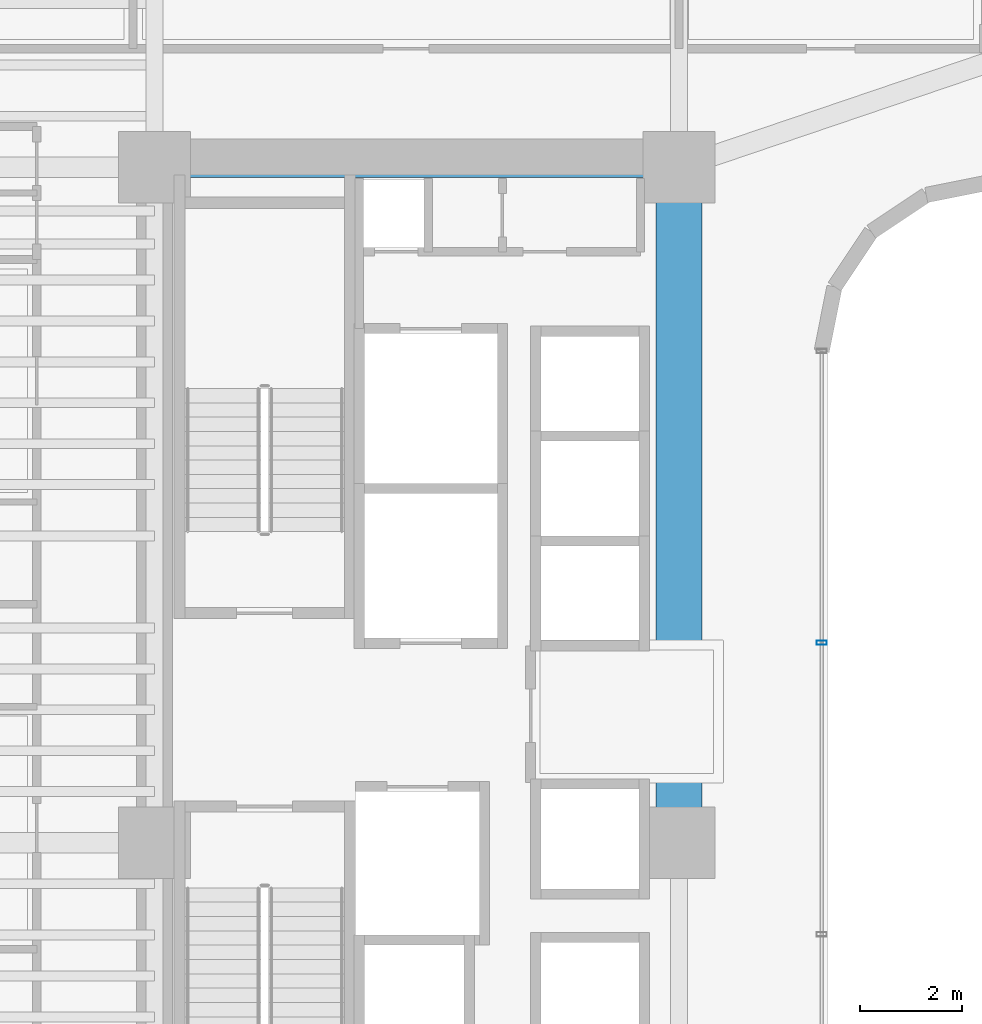
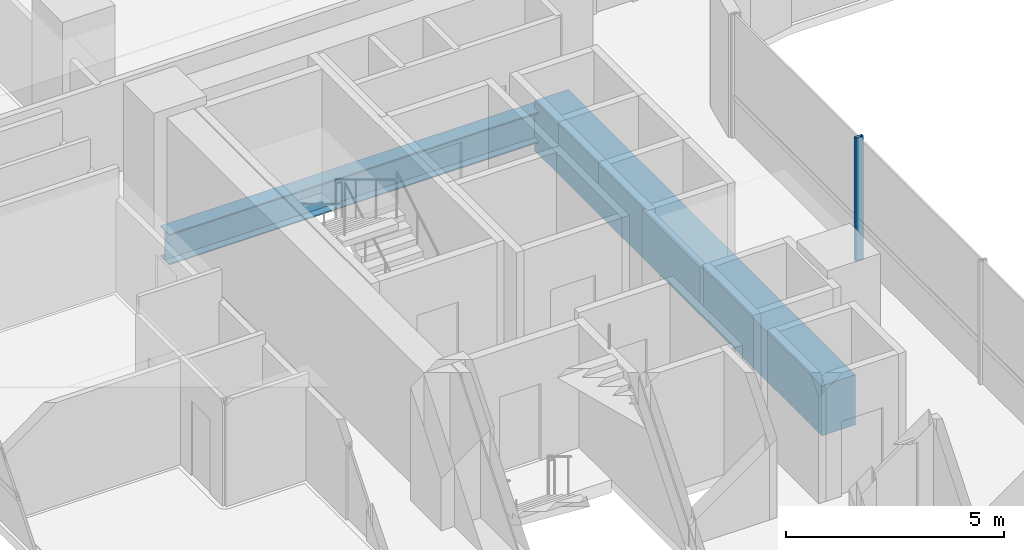
# One storey, part 12 of 41: 2 beams, 1 member, 1 element without a shape of its own.
"""IFC4 building model written with IfcOpenShell, lengths in metres."""

from ifc_helpers import new_model, si_unit, direction, frame, origin, origin_2d, place, context, subcontext, project, spatial, rectangle, hollow_rectangle, i_section, extrude, source, transform, mapped, material, material_profile, profile_set, type_object, element, aggregate, save


model = new_model("IFC4")

# Units and contexts
model_context = context("Model", 3, precision=1e-05, world=origin(), true_north=direction((0.0, 1.0)))
body_context = subcontext(model_context, "Body", "Model", "MODEL_VIEW")
ifc_project = project(units=[si_unit("LENGTHUNIT", "METRE"), si_unit("AREAUNIT", "SQUARE_METRE"), si_unit("VOLUMEUNIT", "CUBIC_METRE"), si_unit("PLANEANGLEUNIT", "RADIAN"), si_unit("MASSUNIT", "GRAM", prefix="KILO")], contexts=[model_context])

# Site, building, storey
site_placement = place(None, origin())
site = spatial("IfcSite", under=ifc_project, at=site_placement, CompositionType="ELEMENT")
building_placement = place(site_placement, origin())
building = spatial("IfcBuilding", under=site, at=building_placement, Name="Valdorenza Pilgrim Sanctuary Tower", CompositionType="ELEMENT")
storey_placement = place(building_placement, frame((0.0, 0.0, 88.89990234375)))
storey = spatial("IfcBuildingStorey", under=building, at=storey_placement, Name="L22", CompositionType="ELEMENT", Elevation=88.89990234375)

# Beams
ifc_material_1 = material(Name="Concrete C60/75", Category="concrete")
ifc_material_profile_1 = material_profile(ifc_material_1, rectangle(XDim=0.89990234375, YDim=1.39990234375, at=origin_2d()), Name="RC 1400x900")
ifc_profile_set_1 = profile_set([ifc_material_profile_1], Name="Concrete C60/75")
beam_type_1 = type_object("IfcBeamType", Name="STR-BM-LNT-1400", PredefinedType="LINTEL", material=ifc_profile_set_1)
shared_shape_1 = source(origin(), body_context, "Body", "SweptSolid", [
    extrude(rectangle(XDim=0.89990234375, YDim=1.39990234375, at=origin_2d()), origin(), (0.0, 0.0, 1.0), 13.2001953125),
])
beam_1_placement = place(storey_placement, frame((-12.39990234375, -2.60009765625, -0.739990234375), z_axis=(0.0, 1.0, 0.0), x_axis=(-1.0, 0.0, 0.0)))
element("IfcBeam", 1, at=beam_1_placement, inside=storey, type_object=beam_type_1, Name="L22 Core A Coupling Lintel Girder", PredefinedType="LINTEL", context=body_context, shape_type="MappedRepresentation", body=[
    mapped(shared_shape_1, transform((0.0, 0.0, 0.0), x_axis=(1.0, 0.0, 0.0), y_axis=(0.0, 1.0, 0.0), z_axis=(0.0, 0.0, 1.0), scale=1.0)),
])
ifc_material_2 = material(Name="Steel ASTM A992 Grade 50", Category="steel")
ifc_material_profile_2 = material_profile(ifc_material_2, i_section(OverallWidth=0.39990234375, OverallDepth=0.862060546875, WebThickness=0.019775390625, FlangeThickness=0.032470703125, at=origin_2d()), Name="W33X221")
ifc_profile_set_2 = profile_set([ifc_material_profile_2], Name="Steel ASTM A992 Grade 50")
beam_type_2 = type_object("IfcBeamType", Name="STR-BM-GRD-W33", PredefinedType="BEAM", material=ifc_profile_set_2)
shared_shape_2 = source(origin(), body_context, "Body", "SweptSolid", [
    extrude(i_section(OverallWidth=0.39990234375, OverallDepth=0.862060546875, WebThickness=0.019775390625, FlangeThickness=0.032470703125, at=origin_2d()), origin(), (0.0, 0.0, 1.0), 10.25),
])
beam_2_placement = place(storey_placement, frame((-22.64990234375, 10.60009765625, -0.6708984375), z_axis=(1.0, 0.0, 0.0), x_axis=(0.0, 1.0, 0.0)))
element("IfcBeam", 2, at=beam_2_placement, inside=storey, type_object=beam_type_2, Name="L22 Floor Girder CA-XC-N1", PredefinedType="BEAM", context=body_context, shape_type="MappedRepresentation", body=[
    mapped(shared_shape_2, transform((0.0, 0.0, 0.0), x_axis=(1.0, 0.0, 0.0), y_axis=(0.0, 1.0, 0.0), z_axis=(0.0, 0.0, 1.0), scale=1.0)),
])

# Curtain wall, member
ifc_material_3 = material(Name="Curtain-wall IGU glazing", Category="glass")
curtain_wall_type = type_object("IfcCurtainWallType", Name="CW-SYS-02", PredefinedType="NOTDEFINED", material=ifc_material_3)
curtain_wall_placement = place(storey_placement, origin())
curtain_wall = element("IfcCurtainWall", 3, at=curtain_wall_placement, inside=storey, type_object=curtain_wall_type, Name="L22 Curtain Wall CW-L22-1-41", PredefinedType="NOTDEFINED")
ifc_material_4 = material(Name="Anodised aluminium AW-6060", Category="aluminium")
ifc_material_profile_3 = material_profile(ifc_material_4, hollow_rectangle(XDim=0.0849609375, YDim=0.199951171875, WallThickness=0.0048828125, at=origin_2d()), Name="ALU-M 200x85x5")
ifc_profile_set_3 = profile_set([ifc_material_profile_3], Name="Anodised aluminium AW-6060")
member_type = type_object("IfcMemberType", Name="CW-MUL-02", PredefinedType="MULLION", material=ifc_profile_set_3)
shared_shape_3 = source(origin(), body_context, "Body", "SweptSolid", [
    extrude(hollow_rectangle(XDim=0.0849609375, YDim=0.199951171875, WallThickness=0.0048828125, at=origin_2d()), origin(), (0.0, 0.0, 1.0), 3.460205078125),
])
member_placement = place(storey_placement, frame((-9.610107421875, 1.310791015625, 0.0), z_axis=(0.0, 0.0, 1.0), x_axis=(0.0, -1.0, 0.0)))
member = element("IfcMember", 4, at=member_placement, type_object=member_type, Name="CW-L22-1-41 Mullion 2", PredefinedType="MULLION", context=body_context, shape_type="MappedRepresentation", body=[
    mapped(shared_shape_3, transform((0.0, 0.0, 0.0), x_axis=(1.0, 0.0, 0.0), y_axis=(0.0, 1.0, 0.0), z_axis=(0.0, 0.0, 1.0), scale=1.0)),
])
aggregate(curtain_wall, [member])

save(model, "model.ifc")
